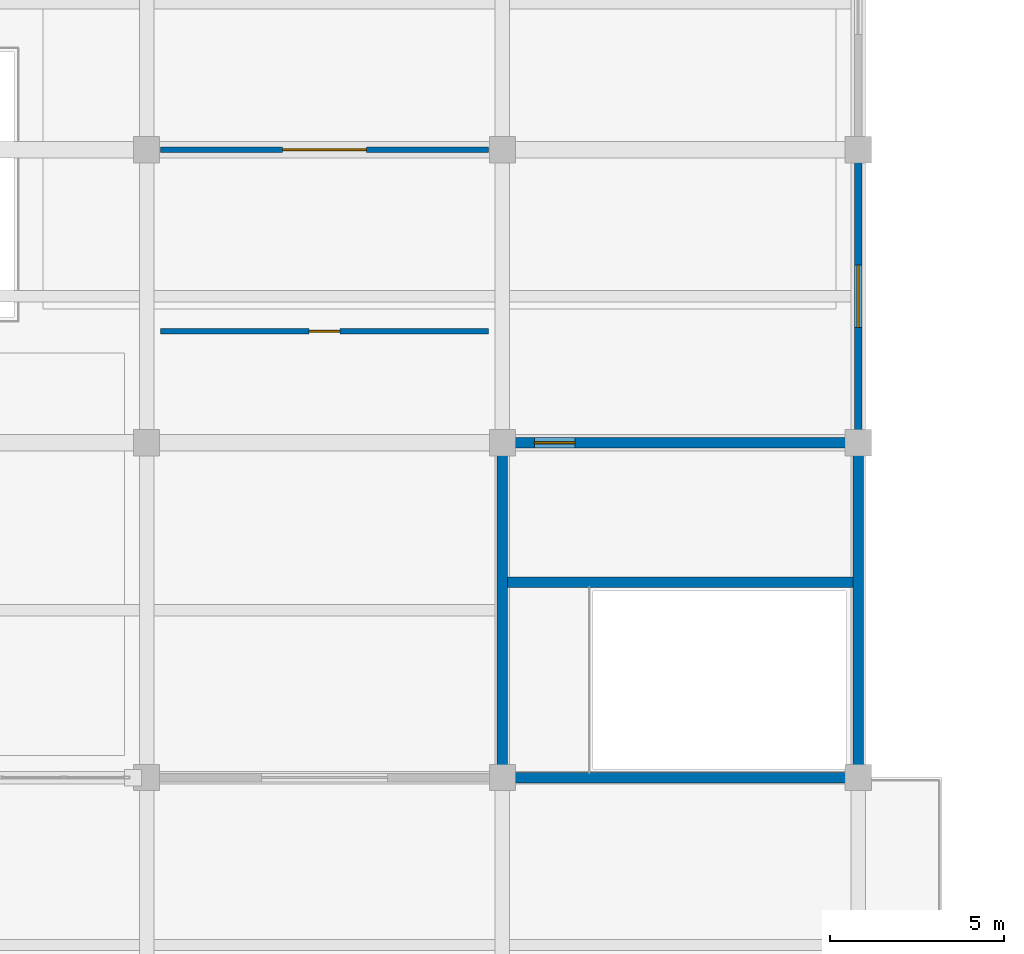
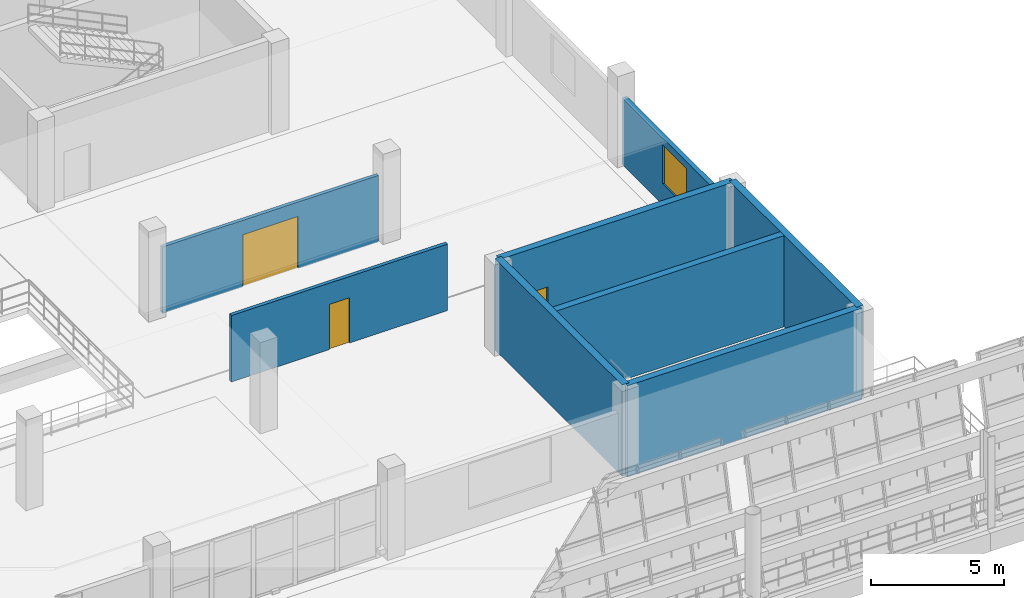
# One storey, part 128 of 157: 8 walls, 3 doors, 1 window, 4 openings.
"""IFC4 building model written with IfcOpenShell, lengths in metres."""

from ifc_helpers import new_model, si_unit, direction, frame, frame_2d, origin, place, context, subcontext, project, spatial, rectangle, extrude, material, layer, layer_set, type_object, element, fill, save


model = new_model("IFC4")

# Units and contexts
model_context = context("Model", 3, precision=1e-05, world=origin(), true_north=direction((0.0, 1.0)))
body_context = subcontext(model_context, "Body", "Model", "MODEL_VIEW")
ifc_project = project(units=[si_unit("LENGTHUNIT", "METRE"), si_unit("AREAUNIT", "SQUARE_METRE"), si_unit("VOLUMEUNIT", "CUBIC_METRE"), si_unit("PLANEANGLEUNIT", "RADIAN"), si_unit("MASSUNIT", "GRAM", prefix="KILO")], contexts=[model_context])

# Site, building, storey
site_placement = place(None, origin())
site = spatial("IfcSite", under=ifc_project, at=site_placement, CompositionType="ELEMENT")
building_placement = place(site_placement, origin())
building = spatial("IfcBuilding", under=site, at=building_placement, Name="Brelvane Convention Centre", CompositionType="ELEMENT")
storey_placement = place(building_placement, frame((0.0, 0.0, 10.800048828125)))
storey = spatial("IfcBuildingStorey", under=building, at=storey_placement, Name="L02", CompositionType="ELEMENT", Elevation=10.800048828125)

# Wall, opening, window
ifc_material_1 = material(Name="Insulated Autoclaved Aerated Concrete Block Grade 1", Category="concrete")
ifc_layer_1 = layer(ifc_material_1, 0.205078125)
ifc_layer_set_1 = layer_set([ifc_layer_1], Name="Insulated Autoclaved Aerated Concrete Block Grade 1")
wall_type_1 = type_object("IfcWallType", Name="Exterior Wall EW-05", PredefinedType="STANDARD", material=ifc_layer_set_1)
wall_1_placement = place(storey_placement, frame((112.199951171875, 119.0400390625, 0.0), z_axis=(0.0, 0.0, 1.0), x_axis=(0.0, 1.0, 0.0)))
wall_1 = element("IfcWall", 1, at=wall_1_placement, inside=storey, type_object=wall_type_1, Name="Exterior Wall L02 V4E-2", PredefinedType="STANDARD", context=body_context, shape_type="SweptSolid", body=[
    extrude(rectangle(XDim=7.919921875, YDim=0.205078125, at=frame_2d((3.9599609375, 0.0))), origin(), (0.0, 0.0, 1.0), 3.06005859375),
])
opening_1_placement = place(wall_1_placement, frame((3.06005859375, 0.0, 0.949951171875)))
opening_1 = element("IfcOpeningElement", 2, at=opening_1_placement, cuts=wall_1, Name="Opening WN-04", PredefinedType="OPENING", context=body_context, shape_type="SweptSolid", body=[
    extrude(rectangle(XDim=1.800048828125, YDim=1.800048828125, at=frame_2d((0.89990234375, 0.89990234375))), frame((0.0, 0.112548828125, 0.0), z_axis=(0.0, -1.0, 0.0), x_axis=(1.0, 0.0, 0.0)), (0.0, 0.0, 1.0), 0.22509765625),
])
ifc_material_2 = material(Name="Double Glazed Low-E Laminated Unit")
window_type = type_object("IfcWindowType", Name="Window WN-04", PartitioningType="DOUBLE_PANEL_VERTICAL", PredefinedType="WINDOW", material=ifc_material_2)
window_placement = place(opening_1_placement, origin())
window = element("IfcWindow", 3, at=window_placement, inside=storey, type_object=window_type, Name="Facade Window L02-V4E-2-042", OverallHeight=1.800048828125, OverallWidth=1.800048828125, PartitioningType="DOUBLE_PANEL_VERTICAL", PredefinedType="WINDOW", context=body_context, shape_type="SweptSolid", body=[
    extrude(rectangle(XDim=1.800048828125, YDim=1.800048828125, at=frame_2d((0.89990234375, 0.89990234375))), frame((0.0, 0.030029296875, 0.0), z_axis=(0.0, -1.0, 0.0), x_axis=(1.0, 0.0, 0.0)), (0.0, 0.0, 1.0), 0.06005859375),
])
fill(opening_1, window)

# Wall, opening, door
ifc_material_3 = material(Name="Fire-Rated Acoustic Gypsum Partition Board Grade A")
ifc_layer_2 = layer(ifc_material_3, 0.155029296875)
ifc_layer_set_2 = layer_set([ifc_layer_2], Name="Fire-Rated Acoustic Gypsum Partition Board Grade A")
wall_type_2 = type_object("IfcWallType", Name="Interior Wall IW-AC-155", PredefinedType="PARTITIONING", material=ifc_layer_set_2)
wall_2_placement = place(storey_placement, frame((92.199951171875, 122.0, 0.0), z_axis=(0.0, 0.0, 1.0), x_axis=(1.0, 0.0, 0.0)))
wall_2 = element("IfcWall", 4, at=wall_2_placement, inside=storey, type_object=wall_type_2, Name="Interior Partition L02-MT305", PredefinedType="PARTITIONING", context=body_context, shape_type="SweptSolid", body=[
    extrude(rectangle(XDim=9.400146484375, YDim=0.155029296875, at=frame_2d((4.7001953125, 0.0))), origin(), (0.0, 0.0, 1.0), 3.06005859375),
])
opening_2_placement = place(wall_2_placement, frame((4.260009765625, 0.0, 0.0)))
opening_2 = element("IfcOpeningElement", 5, at=opening_2_placement, cuts=wall_2, Name="Opening DR-IN-11L", PredefinedType="OPENING", context=body_context, shape_type="SweptSolid", body=[
    extrude(rectangle(XDim=0.8798828125, YDim=2.080078125, at=frame_2d((0.43994140625, 1.0400390625))), frame((0.0, 0.08740234375, 0.0), z_axis=(0.0, -1.0, 0.0), x_axis=(1.0, 0.0, 0.0)), (0.0, 0.0, 1.0), 0.175048828125),
])
ifc_material_4 = material(Name="Solid-Core Fire-Rated Hardwood Leaf Grade 1", Category="wood")
door_type_1 = type_object("IfcDoorType", Name="Interior Door DR-IN-11L", OperationType="NOTDEFINED", PredefinedType="DOOR", material=ifc_material_4)
door_1_placement = place(opening_2_placement, origin())
door_1 = element("IfcDoor", 6, at=door_1_placement, inside=storey, type_object=door_type_1, Name="Interior Door L02-MT305 (DR-IN-11L)", OperationType="SINGLE_SWING_LEFT", OverallHeight=2.080078125, OverallWidth=0.8798828125, PredefinedType="DOOR", context=body_context, shape_type="SweptSolid", body=[
    extrude(rectangle(XDim=0.8798828125, YDim=2.080078125, at=frame_2d((0.43994140625, 1.0400390625))), frame((0.0, 0.02490234375, 0.0), z_axis=(0.0, -1.0, 0.0), x_axis=(1.0, 0.0, 0.0)), (0.0, 0.0, 1.0), 0.050048828125),
])
fill(opening_2, door_1)

ifc_material_5 = material(Name="Acoustic Operable Gypsum Composite Panel Board Class A")
ifc_layer_3 = layer(ifc_material_5, 0.14990234375)
ifc_layer_set_3 = layer_set([ifc_layer_3], Name="Acoustic Operable Gypsum Composite Panel Board Class A")
wall_type_3 = type_object("IfcWallType", Name="Interior Wall IW-OP-150", PredefinedType="MOVABLE", material=ifc_layer_set_3)
wall_3_placement = place(storey_placement, frame((92.199951171875, 127.199951171875, 0.0), z_axis=(0.0, 0.0, 1.0), x_axis=(1.0, 0.0, 0.0)))
wall_3 = element("IfcWall", 7, at=wall_3_placement, inside=storey, type_object=wall_type_3, Name="Operable Wall L02-SEM-OP3", PredefinedType="MOVABLE", context=body_context, shape_type="SweptSolid", body=[
    extrude(rectangle(XDim=9.400146484375, YDim=0.14990234375, at=frame_2d((4.7001953125, 0.0))), origin(), (0.0, 0.0, 1.0), 3.06005859375),
])
opening_3_placement = place(wall_3_placement, frame((3.5, 0.0, 0.0)))
opening_3 = element("IfcOpeningElement", 8, at=opening_3_placement, cuts=wall_3, Name="Opening DR-IN-08", PredefinedType="OPENING", context=body_context, shape_type="SweptSolid", body=[
    extrude(rectangle(XDim=2.39990234375, YDim=2.39990234375, at=frame_2d((1.199951171875, 1.199951171875))), frame((0.0, 0.0849609375, 0.0), z_axis=(0.0, -1.0, 0.0), x_axis=(1.0, 0.0, 0.0)), (0.0, 0.0, 1.0), 0.169921875),
])
ifc_material_6 = material(Name="Solid-Core Fire-Rated Hardwood Leaf Grade 1", Category="wood")
door_type_2 = type_object("IfcDoorType", Name="Interior Door DR-IN-08", OperationType="NOTDEFINED", PredefinedType="DOOR", material=ifc_material_6)
door_2_placement = place(opening_3_placement, origin())
door_2 = element("IfcDoor", 9, at=door_2_placement, inside=storey, type_object=door_type_2, Name="Interior Door L02-SEM-OP3 (DR-IN-08)", OperationType="DOUBLE_DOOR_SINGLE_SWING", OverallHeight=2.39990234375, OverallWidth=2.39990234375, PredefinedType="DOOR", context=body_context, shape_type="SweptSolid", body=[
    extrude(rectangle(XDim=2.39990234375, YDim=2.39990234375, at=frame_2d((1.199951171875, 1.199951171875))), frame((0.0, 0.02490234375, 0.0), z_axis=(0.0, -1.0, 0.0), x_axis=(1.0, 0.0, 0.0)), (0.0, 0.0, 1.0), 0.050048828125),
])
fill(opening_3, door_2)

# Wall
ifc_material_7 = material(Name="Concrete M50", Category="concrete")
ifc_layer_4 = layer(ifc_material_7, 0.300048828125)
ifc_layer_set_4 = layer_set([ifc_layer_4], Name="Concrete M50")
wall_type_4 = type_object("IfcWallType", Name="Structural Wall WL-CORE-300", PredefinedType="SHEAR", material=ifc_layer_set_4)
wall_4_placement = place(storey_placement, frame((102.0, 109.199951171875, 0.0), z_axis=(0.0, 0.0, 1.0), x_axis=(1.0, 0.0, 0.0)))
element("IfcWall", 10, at=wall_4_placement, inside=storey, type_object=wall_type_4, Name="Stair Core ST-20 Wall S (L02)", PredefinedType="SHEAR", context=body_context, shape_type="SweptSolid", body=[
    extrude(rectangle(XDim=10.199951171875, YDim=0.300048828125, at=frame_2d((5.10009765625, 0.0))), origin(), (0.0, 0.0, 1.0), 4.199951171875),
])

# Wall, opening, door
wall_5_placement = place(storey_placement, frame((102.0, 118.800048828125, 0.0), z_axis=(0.0, 0.0, 1.0), x_axis=(1.0, 0.0, 0.0)))
wall_5 = element("IfcWall", 11, at=wall_5_placement, inside=storey, type_object=wall_type_4, Name="Stair Core ST-20 Wall N (L02)", PredefinedType="SHEAR", context=body_context, shape_type="SweptSolid", body=[
    extrude(rectangle(XDim=10.199951171875, YDim=0.300048828125, at=frame_2d((5.10009765625, 0.0))), origin(), (0.0, 0.0, 1.0), 4.199951171875),
])
opening_4_placement = place(wall_5_placement, frame((0.919921875, 0.0, 0.0)))
opening_4 = element("IfcOpeningElement", 12, at=opening_4_placement, cuts=wall_5, Name="Opening DR-IN-04L", PredefinedType="OPENING", context=body_context, shape_type="SweptSolid", body=[
    extrude(rectangle(XDim=1.159912109375, YDim=2.199951171875, at=frame_2d((0.580078125, 1.10009765625))), frame((0.0, 0.159912109375, 0.0), z_axis=(0.0, -1.0, 0.0), x_axis=(1.0, 0.0, 0.0)), (0.0, 0.0, 1.0), 0.320068359375),
])
ifc_material_8 = material(Name="Galvanised Hollow-Metal Fire Door Steel E250", Category="steel")
door_type_3 = type_object("IfcDoorType", Name="Interior Door DR-IN-04L", OperationType="NOTDEFINED", PredefinedType="DOOR", material=ifc_material_8)
door_3_placement = place(opening_4_placement, origin())
door_3 = element("IfcDoor", 13, at=door_3_placement, inside=storey, type_object=door_type_3, Name="Stair ST-20 Entry Door (L02)", OperationType="SINGLE_SWING_LEFT", OverallHeight=2.199951171875, OverallWidth=1.159912109375, PredefinedType="DOOR", context=body_context, shape_type="SweptSolid", body=[
    extrude(rectangle(XDim=1.159912109375, YDim=2.199951171875, at=frame_2d((0.580078125, 1.10009765625))), frame((0.0, 0.02490234375, 0.0), z_axis=(0.0, -1.0, 0.0), x_axis=(1.0, 0.0, 0.0)), (0.0, 0.0, 1.0), 0.050048828125),
])
fill(opening_4, door_3)

# Walls
for number, where, z_axis, x_axis, name in (
    (14, (102.0, 109.199951171875, 0.0), (0.0, 0.0, 1.0), (0.0, 1.0, 0.0), "Stair Core ST-20 Wall W (L02)"),
    (15, (112.199951171875, 109.199951171875, 0.0), (0.0, 0.0, 1.0), (0.0, 1.0, 0.0), "Stair Core ST-20 Wall E (L02)"),
):
    element("IfcWall", number, at=place(storey_placement, frame(where, z_axis=z_axis, x_axis=x_axis)), inside=storey, type_object=wall_type_4, Name=name, PredefinedType="SHEAR", context=body_context, shape_type="SweptSolid", body=[
        extrude(rectangle(XDim=9.60009765625, YDim=0.300048828125, at=frame_2d((4.800048828125, 0.0))), origin(), (0.0, 0.0, 1.0), 4.199951171875),
    ])
wall_6_placement = place(storey_placement, frame((102.14990234375, 114.800048828125, 0.0), z_axis=(0.0, 0.0, 1.0), x_axis=(1.0, 0.0, 0.0)))
element("IfcWall", 16, at=wall_6_placement, inside=storey, type_object=wall_type_4, Name="Stair Core ST-20 Well Wall (L02)", PredefinedType="SHEAR", context=body_context, shape_type="SweptSolid", body=[
    extrude(rectangle(XDim=9.900146484375, YDim=0.300048828125, at=frame_2d((4.9501953125, 0.0))), origin(), (0.0, 0.0, 1.0), 4.199951171875),
])

save(model, "model.ifc")
